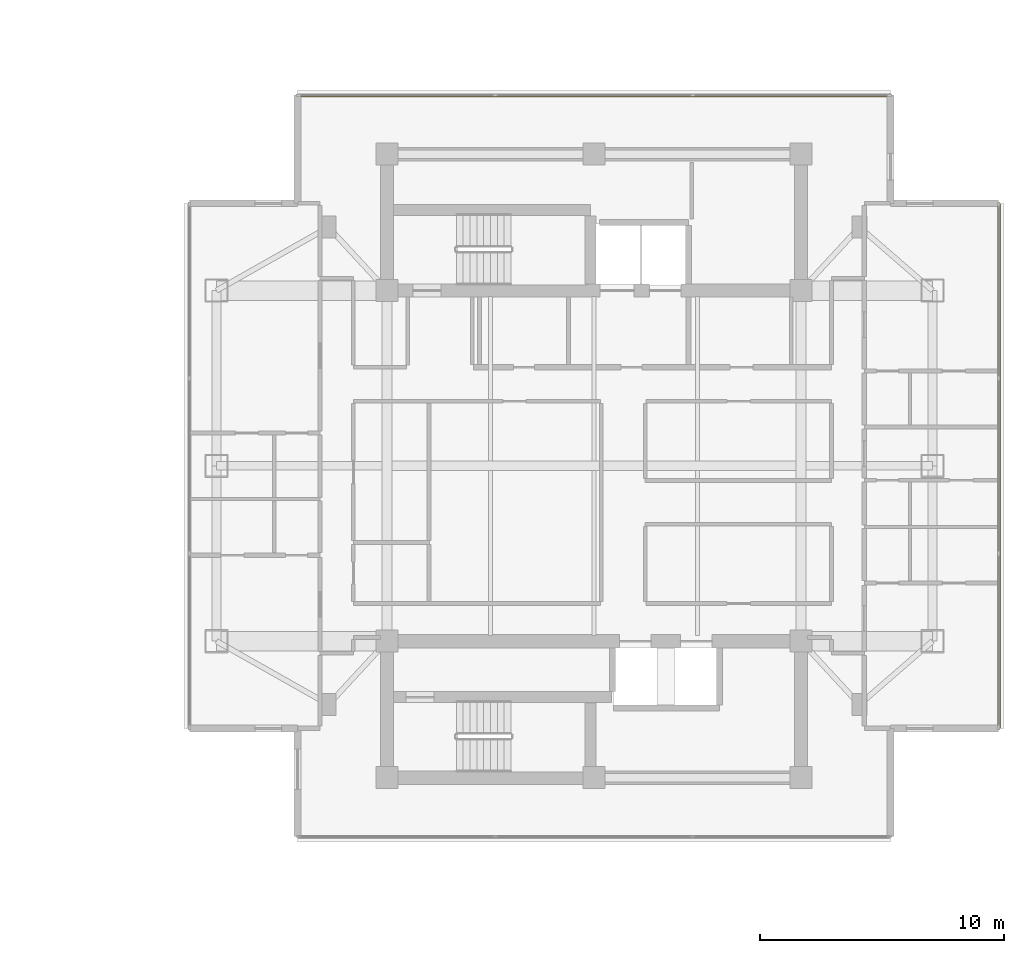
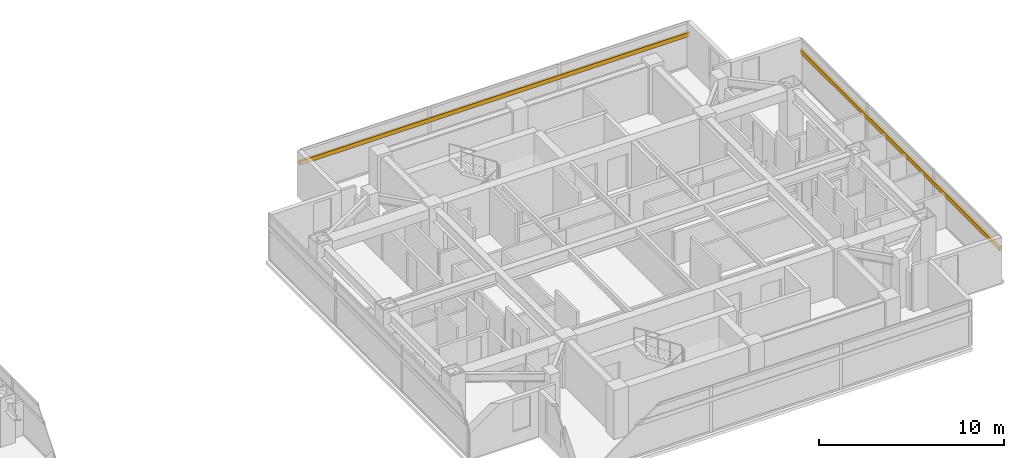
# One storey, part 24 of 24: 2 shading devices.
"""IFC4 building model written with IfcOpenShell, lengths in metres."""

from ifc_helpers import new_model, si_unit, direction, frame, origin, origin_2d, place, context, subcontext, project, spatial, rectangle, extrude, material, material_profile, profile_set, type_object, element, save


model = new_model("IFC4")

# Units and contexts
model_context = context("Model", 3, precision=1e-05, world=origin(), true_north=direction((0.0, 1.0)))
body_context = subcontext(model_context, "Body", "Model", "MODEL_VIEW")
ifc_project = project(units=[si_unit("LENGTHUNIT", "METRE"), si_unit("AREAUNIT", "SQUARE_METRE"), si_unit("VOLUMEUNIT", "CUBIC_METRE"), si_unit("PLANEANGLEUNIT", "RADIAN"), si_unit("MASSUNIT", "GRAM", prefix="KILO")], contexts=[model_context])

# Site, building, storey
site_placement = place(None, origin())
site = spatial("IfcSite", under=ifc_project, at=site_placement, CompositionType="ELEMENT")
building_placement = place(site_placement, origin())
building = spatial("IfcBuilding", under=site, at=building_placement, Name="Mirazonda Arch Towers", CompositionType="ELEMENT")
storey_placement = place(building_placement, frame((0.0, 0.0, 186.89990234375)))
storey = spatial("IfcBuildingStorey", under=building, at=storey_placement, Name="L53", CompositionType="ELEMENT", Elevation=186.89990234375)

# Shading devices
ifc_material = material(Name="Kiln-Fired Architectural Terracotta", Category="masonry")
ifc_material_profile = material_profile(ifc_material, rectangle(XDim=0.139892578125, YDim=0.280029296875, at=origin_2d()), Name="TERRA-BAG-140x280")
ifc_profile_set = profile_set([ifc_material_profile], Name="Kiln-Fired Architectural Terracotta")
shading_device_type = type_object("IfcShadingDeviceType", Name="BAGUETTE-3", PredefinedType="USERDEFINED", material=ifc_profile_set)
shading_device_1_placement = place(storey_placement, frame((93.115478515625, 17.218017578125, 2.181640625), z_axis=(0.0, 1.0, 0.0), x_axis=(-1.0, 0.0, 0.0)))
element("IfcShadingDevice", 1, at=shading_device_1_placement, inside=storey, type_object=shading_device_type, Name="L53 Glazed Terracotta Sun-Screen Baguette CW-L53-T2-E", ObjectType="BAGUETTE", PredefinedType="USERDEFINED", context=body_context, shape_type="SweptSolid", body=[
    extrude(rectangle(XDim=0.139892578125, YDim=0.280029296875, at=origin_2d()), origin(), (0.0, 0.0, 1.0), 21.56396484375),
])
shading_device_2_placement = place(storey_placement, frame((64.32421875, 43.2216796875, 2.181640625), z_axis=(1.0, 0.0, 0.0), x_axis=(0.0, 1.0, 0.0)))
element("IfcShadingDevice", 2, at=shading_device_2_placement, inside=storey, type_object=shading_device_type, Name="L53 Glazed Terracotta Sun-Screen Baguette CW-L53-T2-N", ObjectType="BAGUETTE", PredefinedType="USERDEFINED", context=body_context, shape_type="SweptSolid", body=[
    extrude(rectangle(XDim=0.139892578125, YDim=0.280029296875, at=origin_2d()), origin(), (0.0, 0.0, 1.0), 24.3515625),
])

save(model, "model.ifc")
